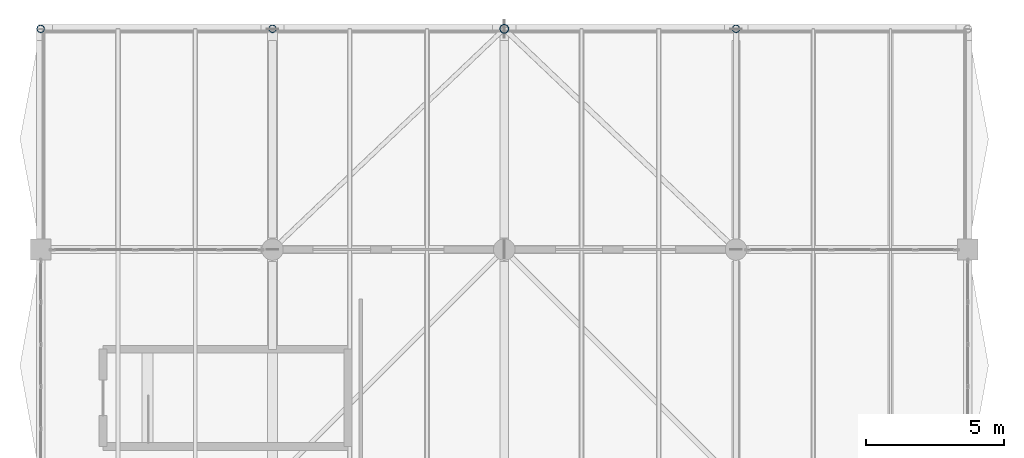
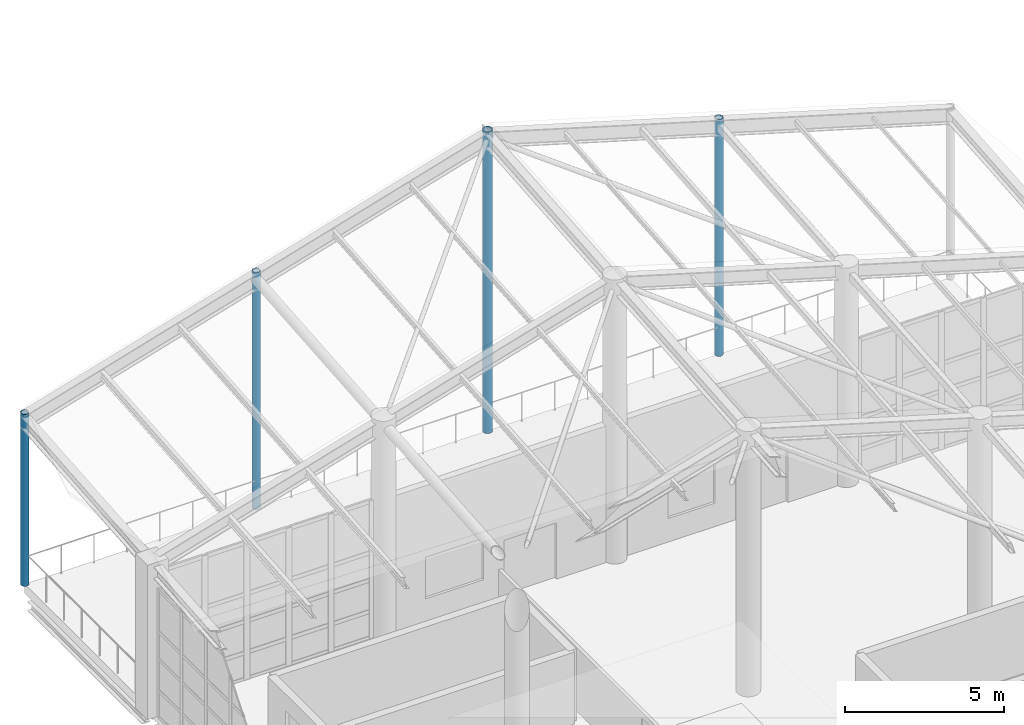
# One storey, part 2 of 95: 4 columns.
"""IFC4 building model written with IfcOpenShell, lengths in metres."""

from ifc_helpers import new_model, si_unit, direction, frame, origin, origin_2d, place, context, subcontext, project, spatial, hollow_circle, extrude, material, material_profile, profile_set, type_object, element, save


model = new_model("IFC4")

# Units and contexts
model_context = context("Model", 3, precision=1e-05, world=origin(), true_north=direction((0.0, 1.0)))
body_context = subcontext(model_context, "Body", "Model", "MODEL_VIEW")
ifc_project = project(units=[si_unit("LENGTHUNIT", "METRE"), si_unit("AREAUNIT", "SQUARE_METRE"), si_unit("VOLUMEUNIT", "CUBIC_METRE"), si_unit("PLANEANGLEUNIT", "RADIAN"), si_unit("MASSUNIT", "GRAM", prefix="KILO"), si_unit("THERMODYNAMICTEMPERATUREUNIT", "KELVIN"), si_unit("POWERUNIT", "WATT")], contexts=[model_context])

# Site, building, storey
site_placement = place(None, origin())
site = spatial("IfcSite", under=ifc_project, at=site_placement, CompositionType="ELEMENT")
building_placement = place(site_placement, origin())
building = spatial("IfcBuilding", under=site, at=building_placement, Name="Mavoryth Pier Ferry Terminal", CompositionType="ELEMENT")
storey_placement = place(building_placement, frame((0.0, 0.0, 9.60009765625)))
storey = spatial("IfcBuildingStorey", under=building, at=storey_placement, Name="L02", CompositionType="ELEMENT", Elevation=9.60009765625)

# Columns
ifc_material = material(Name="Steel S355J2", Category="steel")
ifc_material_profile_1 = material_profile(ifc_material, hollow_circle(Radius=0.136474609375, WallThickness=0.012451171875, at=origin_2d()), Name="CHS 273.0x12.5", Category="steel")
ifc_profile_set_1 = profile_set([ifc_material_profile_1], Name="Steel S355J2 - CHS 273.0x12.5")
column_type_1 = type_object("IfcColumnType", Name="Col-SteelPost-CHS273", PredefinedType="COLUMN", material=ifc_profile_set_1)
column_1_placement = place(storey_placement, frame((0.0, 114.0, 0.0), z_axis=(0.0, 0.0, 1.0), x_axis=(1.0, 0.0, 0.0)))
element("IfcColumn", 1, at=column_1_placement, inside=storey, type_object=column_type_1, Name="Column C02-SC01-152", PredefinedType="COLUMN", context=body_context, shape_type="SweptSolid", body=[
    extrude(hollow_circle(Radius=0.136474609375, WallThickness=0.012451171875, at=origin_2d()), origin(), (0.0, 0.0, 1.0), 6.60400390625),
])
for number, where, z_axis, x_axis, name in (
    (2, (8.39990234375, 114.0, 0.0), (0.0, 0.0, 1.0), (1.0, 0.0, 0.0), "Column C02-SC01-158"),
    (3, (25.199951171875, 114.0, 0.0), (0.0, 0.0, 1.0), (1.0, 0.0, 0.0), "Column C02-SC01-170"),
):
    element("IfcColumn", number, at=place(storey_placement, frame(where, z_axis=z_axis, x_axis=x_axis)), inside=storey, type_object=column_type_1, Name=name, PredefinedType="COLUMN", context=body_context, shape_type="SweptSolid", body=[
        extrude(hollow_circle(Radius=0.136474609375, WallThickness=0.012451171875, at=origin_2d()), origin(), (0.0, 0.0, 1.0), 9.102294921875),
    ])
ifc_material_profile_2 = material_profile(ifc_material, hollow_circle(Radius=0.161865234375, WallThickness=0.01611328125, at=origin_2d()), Name="CHS 323.9x16.0", Category="steel")
ifc_profile_set_2 = profile_set([ifc_material_profile_2], Name="Steel S355J2 - CHS 323.9x16.0")
column_type_2 = type_object("IfcColumnType", Name="Col-SteelPost-CHS324", PredefinedType="COLUMN", material=ifc_profile_set_2)
column_2_placement = place(storey_placement, frame((16.800048828125, 114.0, 0.0), z_axis=(0.0, 0.0, 1.0), x_axis=(1.0, 0.0, 0.0)))
element("IfcColumn", 4, at=column_2_placement, inside=storey, type_object=column_type_2, Name="Column C02-SC02-164", PredefinedType="COLUMN", context=body_context, shape_type="SweptSolid", body=[
    extrude(hollow_circle(Radius=0.161865234375, WallThickness=0.01611328125, at=origin_2d()), origin(), (0.0, 0.0, 1.0), 11.58056640625),
])

save(model, "model.ifc")
